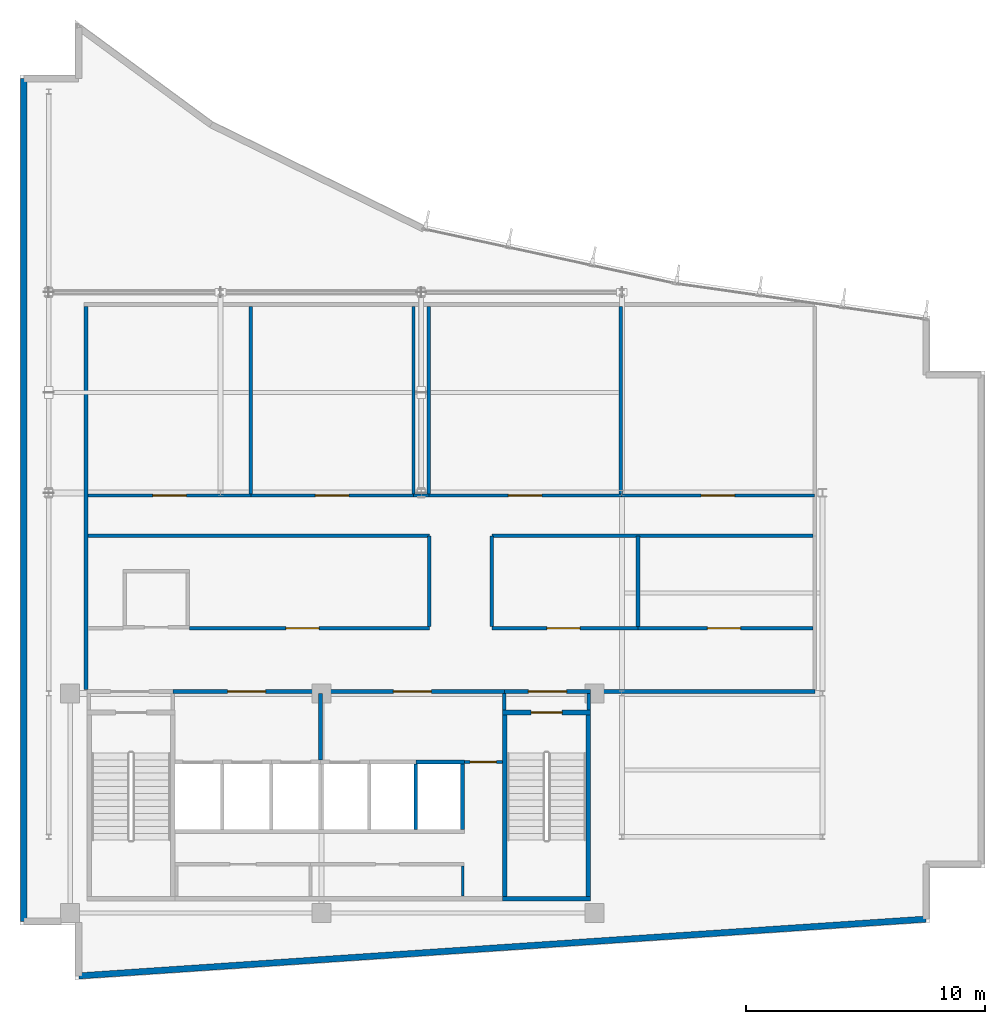
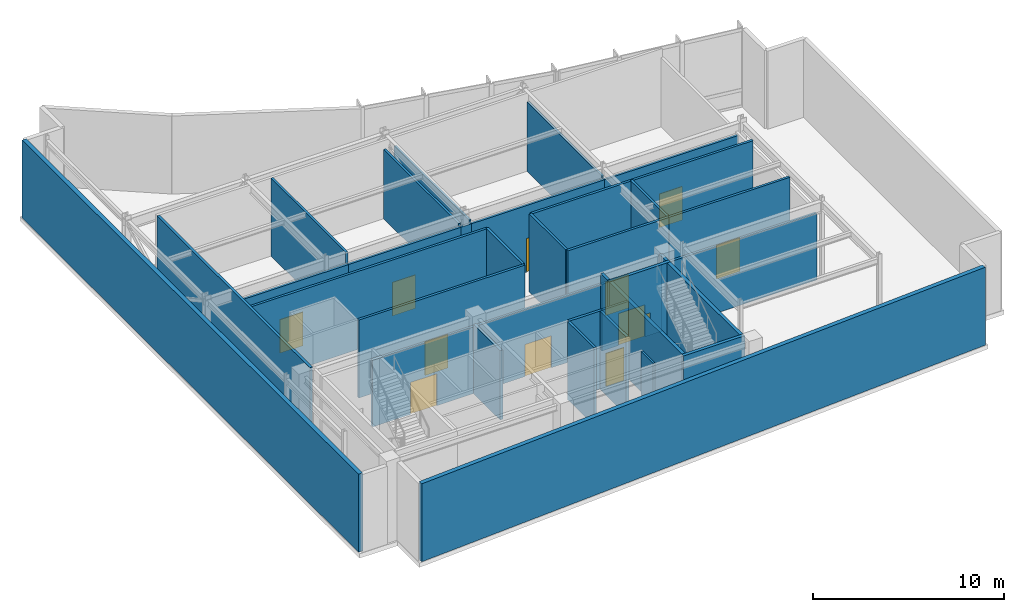
# One storey, part 10 of 14: 36 walls, 12 doors, 12 openings.
"""IFC4 building model written with IfcOpenShell, lengths in metres."""

from ifc_helpers import new_model, si_unit, direction, frame, frame_2d, origin, place, context, subcontext, project, spatial, rectangle, extrude, material, layer, layer_set, type_object, element, fill, save


model = new_model("IFC4")

# Units and contexts
model_context = context("Model", 3, precision=1e-05, world=origin(), true_north=direction((0.0, 1.0)))
body_context = subcontext(model_context, "Body", "Model", "MODEL_VIEW")
ifc_project = project(units=[si_unit("LENGTHUNIT", "METRE"), si_unit("AREAUNIT", "SQUARE_METRE"), si_unit("VOLUMEUNIT", "CUBIC_METRE"), si_unit("PLANEANGLEUNIT", "RADIAN"), si_unit("MASSUNIT", "GRAM", prefix="KILO")], contexts=[model_context])

# Site, building, storey
site_placement = place(None, origin())
site = spatial("IfcSite", under=ifc_project, at=site_placement, CompositionType="ELEMENT")
building_placement = place(site_placement, origin())
building = spatial("IfcBuilding", under=site, at=building_placement, Name="Varnakote Quay Hospital", CompositionType="ELEMENT")
storey_placement = place(building_placement, frame((0.0, 0.0, 303.949951171875)))
storey = spatial("IfcBuildingStorey", under=building, at=storey_placement, Name="L75", CompositionType="ELEMENT", Elevation=303.949951171875)

# Wall, opening, door
ifc_material_1 = material(Name="Fire-rated acoustic gypsum stud wall", Category="gypsum")
ifc_layer_1 = layer(ifc_material_1, 0.139892578125)
ifc_layer_set_1 = layer_set([ifc_layer_1], Name="Fire-rated acoustic gypsum stud wall")
wall_type_1 = type_object("IfcWallType", Name="WL-COMP-140", PredefinedType="PARTITIONING", material=ifc_layer_set_1)
wall_1_placement = place(storey_placement, frame((2.85009765625, 20.2900390625, 0.0), z_axis=(0.0, 0.0, 1.0), x_axis=(1.0, 0.0, 0.0)))
wall_1 = element("IfcWall", 1, at=wall_1_placement, inside=storey, type_object=wall_type_1, Name="L75 Central Chiller Mechanical Plant Corridor Wall", PredefinedType="PARTITIONING", context=body_context, shape_type="SweptSolid", body=[
    extrude(rectangle(XDim=6.829833984375, YDim=0.139892578125, at=frame_2d((3.4150390625, 0.0))), origin(), (0.0, 0.0, 1.0), 4.26513671875),
])
opening_1_placement = place(wall_1_placement, frame((2.715087890625, 0.0, 0.0)))
opening_1 = element("IfcOpeningElement", 2, at=opening_1_placement, cuts=wall_1, Name="Opening D-L75-CHIL", PredefinedType="OPENING", context=body_context, shape_type="SweptSolid", body=[
    extrude(rectangle(XDim=1.39990234375, YDim=2.14990234375, at=frame_2d((0.699951171875, 1.074951171875))), frame((0.0, 0.079833984375, 0.0), z_axis=(0.0, -1.0, 0.0), x_axis=(1.0, 0.0, 0.0)), (0.0, 0.0, 1.0), 0.159912109375),
])
ifc_material_2 = material(Name="Fire-rated acoustic plant room door")
door_type_1 = type_object("IfcDoorType", Name="DR-PLANT-FD60-1400x2150", OperationType="NOTDEFINED", PredefinedType="DOOR", material=ifc_material_2)
door_1_placement = place(opening_1_placement, origin())
door_1 = element("IfcDoor", 3, at=door_1_placement, inside=storey, type_object=door_type_1, Name="L75 Central Chiller Mechanical Plant Door", OperationType="SINGLE_SWING_LEFT", OverallHeight=2.14990234375, OverallWidth=1.39990234375, PredefinedType="DOOR", context=body_context, shape_type="SweptSolid", body=[
    extrude(rectangle(XDim=1.39990234375, YDim=2.14990234375, at=frame_2d((0.699951171875, 1.074951171875))), frame((0.0, 0.02490234375, 0.0), z_axis=(0.0, -1.0, 0.0), x_axis=(1.0, 0.0, 0.0)), (0.0, 0.0, 1.0), 0.050048828125),
])
fill(opening_1, door_1)

wall_2_placement = place(storey_placement, frame((9.681884765625, 20.2900390625, 0.0), z_axis=(0.0, 0.0, 1.0), x_axis=(1.0, 0.0, 0.0)))
wall_2 = element("IfcWall", 4, at=wall_2_placement, inside=storey, type_object=wall_type_1, Name="L75 Clinical Air Handling Mechanical Plant Corridor Wall", PredefinedType="PARTITIONING", context=body_context, shape_type="SweptSolid", body=[
    extrude(rectangle(XDim=6.798095703125, YDim=0.139892578125, at=frame_2d((3.39892578125, 0.0))), origin(), (0.0, 0.0, 1.0), 4.26513671875),
])
opening_2_placement = place(wall_2_placement, frame((2.68798828125, 0.0, 0.0)))
opening_2 = element("IfcOpeningElement", 5, at=opening_2_placement, cuts=wall_2, Name="Opening D-L75-AHU1", PredefinedType="OPENING", context=body_context, shape_type="SweptSolid", body=[
    extrude(rectangle(XDim=1.39990234375, YDim=2.14990234375, at=frame_2d((0.699951171875, 1.074951171875))), frame((0.0, 0.079833984375, 0.0), z_axis=(0.0, -1.0, 0.0), x_axis=(1.0, 0.0, 0.0)), (0.0, 0.0, 1.0), 0.159912109375),
])
door_2_placement = place(opening_2_placement, origin())
door_2 = element("IfcDoor", 6, at=door_2_placement, inside=storey, type_object=door_type_1, Name="L75 Clinical Air Handling Mechanical Plant Door", OperationType="SINGLE_SWING_RIGHT", OverallHeight=2.14990234375, OverallWidth=1.39990234375, PredefinedType="DOOR", context=body_context, shape_type="SweptSolid", body=[
    extrude(rectangle(XDim=1.39990234375, YDim=2.14990234375, at=frame_2d((0.699951171875, 1.074951171875))), frame((0.0, 0.02490234375, 0.0), z_axis=(0.0, -1.0, 0.0), x_axis=(1.0, 0.0, 0.0)), (0.0, 0.0, 1.0), 0.050048828125),
])
fill(opening_2, door_2)

# Wall
wall_3_placement = place(storey_placement, frame((16.47998046875, 20.2900390625, 0.0), z_axis=(0.0, 0.0, 1.0), x_axis=(1.0, 0.0, 0.0)))
element("IfcWall", 7, at=wall_3_placement, inside=storey, type_object=wall_type_1, Name="L75 Outrigger Bay Enclosure Wall", PredefinedType="PARTITIONING", context=body_context, shape_type="SweptSolid", body=[
    extrude(rectangle(XDim=0.64013671875, YDim=0.139892578125, at=frame_2d((0.320068359375, 0.0))), origin(), (0.0, 0.0, 1.0), 4.26513671875),
])

# Wall, opening, door
wall_4_placement = place(storey_placement, frame((17.1201171875, 20.2900390625, 0.0), z_axis=(0.0, 0.0, 1.0), x_axis=(1.0, 0.0, 0.0)))
wall_4 = element("IfcWall", 8, at=wall_4_placement, inside=storey, type_object=wall_type_1, Name="L75 Essential Standby Power Generator Plant Corridor Wall", PredefinedType="PARTITIONING", context=body_context, shape_type="SweptSolid", body=[
    extrude(rectangle(XDim=8.059814453125, YDim=0.139892578125, at=frame_2d((4.02978515625, 0.0))), origin(), (0.0, 0.0, 1.0), 4.26513671875),
])
opening_3_placement = place(wall_4_placement, frame((3.330078125, 0.0, 0.0)))
opening_3 = element("IfcOpeningElement", 9, at=opening_3_placement, cuts=wall_4, Name="Opening D-L75-STBY", PredefinedType="OPENING", context=body_context, shape_type="SweptSolid", body=[
    extrude(rectangle(XDim=1.39990234375, YDim=2.14990234375, at=frame_2d((0.699951171875, 1.074951171875))), frame((0.0, 0.079833984375, 0.0), z_axis=(0.0, -1.0, 0.0), x_axis=(1.0, 0.0, 0.0)), (0.0, 0.0, 1.0), 0.159912109375),
])
door_3_placement = place(opening_3_placement, origin())
door_3 = element("IfcDoor", 10, at=door_3_placement, inside=storey, type_object=door_type_1, Name="L75 Essential Standby Power Generator Plant Door", OperationType="SINGLE_SWING_LEFT", OverallHeight=2.14990234375, OverallWidth=1.39990234375, PredefinedType="DOOR", context=body_context, shape_type="SweptSolid", body=[
    extrude(rectangle(XDim=1.39990234375, YDim=2.14990234375, at=frame_2d((0.699951171875, 1.074951171875))), frame((0.0, 0.02490234375, 0.0), z_axis=(0.0, -1.0, 0.0), x_axis=(1.0, 0.0, 0.0)), (0.0, 0.0, 1.0), 0.050048828125),
])
fill(opening_3, door_3)

wall_5_placement = place(storey_placement, frame((25.181884765625, 20.2900390625, 0.0), z_axis=(0.0, 0.0, 1.0), x_axis=(1.0, 0.0, 0.0)))
wall_5 = element("IfcWall", 11, at=wall_5_placement, inside=storey, type_object=wall_type_1, Name="L75 Hydraulic Break Tank & Fire Pump Plant Corridor Wall", PredefinedType="PARTITIONING", context=body_context, shape_type="SweptSolid", body=[
    extrude(rectangle(XDim=8.09814453125, YDim=0.139892578125, at=frame_2d((4.049072265625, 0.0))), origin(), (0.0, 0.0, 1.0), 4.26513671875),
])
opening_4_placement = place(wall_5_placement, frame((3.337890625, 0.0, 0.0)))
opening_4 = element("IfcOpeningElement", 12, at=opening_4_placement, cuts=wall_5, Name="Opening D-L75-PUMP", PredefinedType="OPENING", context=body_context, shape_type="SweptSolid", body=[
    extrude(rectangle(XDim=1.39990234375, YDim=2.14990234375, at=frame_2d((0.699951171875, 1.074951171875))), frame((0.0, 0.079833984375, 0.0), z_axis=(0.0, -1.0, 0.0), x_axis=(1.0, 0.0, 0.0)), (0.0, 0.0, 1.0), 0.159912109375),
])
door_4_placement = place(opening_4_placement, origin())
door_4 = element("IfcDoor", 13, at=door_4_placement, inside=storey, type_object=door_type_1, Name="L75 Hydraulic Break Tank & Fire Pump Plant Door", OperationType="SINGLE_SWING_RIGHT", OverallHeight=2.14990234375, OverallWidth=1.39990234375, PredefinedType="DOOR", context=body_context, shape_type="SweptSolid", body=[
    extrude(rectangle(XDim=1.39990234375, YDim=2.14990234375, at=frame_2d((0.699951171875, 1.074951171875))), frame((0.0, 0.02490234375, 0.0), z_axis=(0.0, -1.0, 0.0), x_axis=(1.0, 0.0, 0.0)), (0.0, 0.0, 1.0), 0.050048828125),
])
fill(opening_4, door_4)

ifc_material_3 = material(Name="Fire-rated acoustic gypsum stud wall", Category="gypsum")
ifc_layer_2 = layer(ifc_material_3, 0.14990234375)
ifc_layer_set_2 = layer_set([ifc_layer_2], Name="Fire-rated acoustic gypsum stud wall")
wall_type_2 = type_object("IfcWallType", Name="WL-COMP-150", PredefinedType="PARTITIONING", material=ifc_layer_set_2)
wall_6_placement = place(storey_placement, frame((7.092041015625, 14.72998046875, 0.0), z_axis=(0.0, 0.0, 1.0), x_axis=(1.0, 0.0, 0.0)))
wall_6 = element("IfcWall", 14, at=wall_6_placement, inside=storey, type_object=wall_type_2, Name="L75 West Refuge Corridor Wall", PredefinedType="PARTITIONING", context=body_context, shape_type="SweptSolid", body=[
    extrude(rectangle(XDim=10.0478515625, YDim=0.14990234375, at=frame_2d((5.02392578125, 0.0))), origin(), (0.0, 0.0, 1.0), 4.989990234375),
])
opening_5_placement = place(wall_6_placement, frame((4.0380859375, 0.0, 0.0)))
opening_5 = element("IfcOpeningElement", 15, at=opening_5_placement, cuts=wall_6, Name="Opening D-REF1-L75", PredefinedType="OPENING", context=body_context, shape_type="SweptSolid", body=[
    extrude(rectangle(XDim=1.39990234375, YDim=2.14990234375, at=frame_2d((0.699951171875, 1.074951171875))), frame((0.0, 0.0849609375, 0.0), z_axis=(0.0, -1.0, 0.0), x_axis=(1.0, 0.0, 0.0)), (0.0, 0.0, 1.0), 0.169921875),
])
door_5_placement = place(opening_5_placement, origin())
door_5 = element("IfcDoor", 16, at=door_5_placement, inside=storey, type_object=door_type_1, Name="L75 Fire Refuge Holding Area West Door", OperationType="SINGLE_SWING_RIGHT", OverallHeight=2.14990234375, OverallWidth=1.39990234375, PredefinedType="DOOR", context=body_context, shape_type="SweptSolid", body=[
    extrude(rectangle(XDim=1.39990234375, YDim=2.14990234375, at=frame_2d((0.699951171875, 1.074951171875))), frame((0.0, 0.02490234375, 0.0), z_axis=(0.0, -1.0, 0.0), x_axis=(1.0, 0.0, 0.0)), (0.0, 0.0, 1.0), 0.050048828125),
])
fill(opening_5, door_5)

# Walls
wall_7_placement = place(storey_placement, frame((17.139892578125, 14.81005859375, 0.0), z_axis=(0.0, 0.0, 1.0), x_axis=(0.0, 1.0, 0.0)))
element("IfcWall", 17, at=wall_7_placement, inside=storey, type_object=wall_type_2, Name="L75 West Refuge Link Wall", PredefinedType="PARTITIONING", context=body_context, shape_type="SweptSolid", body=[
    extrude(rectangle(XDim=3.7900390625, YDim=0.14990234375, at=frame_2d((1.89501953125, 0.0))), origin(), (0.0, 0.0, 1.0), 4.989990234375),
])
wall_8_placement = place(storey_placement, frame((2.85009765625, 18.60009765625, 0.0), z_axis=(0.0, 0.0, 1.0), x_axis=(1.0, 0.0, 0.0)))
element("IfcWall", 18, at=wall_8_placement, inside=storey, type_object=wall_type_2, Name="L75 West Refuge North Wall", PredefinedType="PARTITIONING", context=body_context, shape_type="SweptSolid", body=[
    extrude(rectangle(XDim=14.289794921875, YDim=0.14990234375, at=frame_2d((7.14501953125, 0.0))), origin(), (0.0, 0.0, 1.0), 4.989990234375),
])
wall_9_placement = place(storey_placement, frame((19.760009765625, 14.81005859375, 0.0), z_axis=(0.0, 0.0, 1.0), x_axis=(0.0, 1.0, 0.0)))
element("IfcWall", 19, at=wall_9_placement, inside=storey, type_object=wall_type_2, Name="L75 Central Refuge Link Wall", PredefinedType="PARTITIONING", context=body_context, shape_type="SweptSolid", body=[
    extrude(rectangle(XDim=3.7900390625, YDim=0.14990234375, at=frame_2d((1.89501953125, 0.0))), origin(), (0.0, 0.0, 1.0), 4.989990234375),
])

# Wall, opening, door
wall_10_placement = place(storey_placement, frame((19.760009765625, 14.72998046875, 0.0), z_axis=(0.0, 0.0, 1.0), x_axis=(1.0, 0.0, 0.0)))
wall_10 = element("IfcWall", 20, at=wall_10_placement, inside=storey, type_object=wall_type_2, Name="L75 East Refuge Corridor Wall", PredefinedType="PARTITIONING", context=body_context, shape_type="SweptSolid", body=[
    extrude(rectangle(XDim=6.119873046875, YDim=0.14990234375, at=frame_2d((3.06005859375, 0.0))), origin(), (0.0, 0.0, 1.0), 4.989990234375),
])
opening_6_placement = place(wall_10_placement, frame((2.300048828125, 0.0, 0.0)))
opening_6 = element("IfcOpeningElement", 21, at=opening_6_placement, cuts=wall_10, Name="Opening D-REF2-L75", PredefinedType="OPENING", context=body_context, shape_type="SweptSolid", body=[
    extrude(rectangle(XDim=1.39990234375, YDim=2.14990234375, at=frame_2d((0.699951171875, 1.074951171875))), frame((0.0, 0.0849609375, 0.0), z_axis=(0.0, -1.0, 0.0), x_axis=(1.0, 0.0, 0.0)), (0.0, 0.0, 1.0), 0.169921875),
])
door_6_placement = place(opening_6_placement, origin())
door_6 = element("IfcDoor", 22, at=door_6_placement, inside=storey, type_object=door_type_1, Name="L75 Fire Refuge Holding Area East Door", OperationType="SINGLE_SWING_LEFT", OverallHeight=2.14990234375, OverallWidth=1.39990234375, PredefinedType="DOOR", context=body_context, shape_type="SweptSolid", body=[
    extrude(rectangle(XDim=1.39990234375, YDim=2.14990234375, at=frame_2d((0.699951171875, 1.074951171875))), frame((0.0, 0.02490234375, 0.0), z_axis=(0.0, -1.0, 0.0), x_axis=(1.0, 0.0, 0.0)), (0.0, 0.0, 1.0), 0.050048828125),
])
fill(opening_6, door_6)

# Wall
wall_11_placement = place(storey_placement, frame((25.8798828125, 14.81005859375, 0.0), z_axis=(0.0, 0.0, 1.0), x_axis=(0.0, 1.0, 0.0)))
element("IfcWall", 23, at=wall_11_placement, inside=storey, type_object=wall_type_2, Name="L75 Telemetry Plant West Wall", PredefinedType="PARTITIONING", context=body_context, shape_type="SweptSolid", body=[
    extrude(rectangle(XDim=3.7900390625, YDim=0.14990234375, at=frame_2d((1.89501953125, 0.0))), origin(), (0.0, 0.0, 1.0), 4.989990234375),
])

# Wall, opening, door
wall_12_placement = place(storey_placement, frame((25.8798828125, 14.72998046875, 0.0), z_axis=(0.0, 0.0, 1.0), x_axis=(1.0, 0.0, 0.0)))
wall_12 = element("IfcWall", 24, at=wall_12_placement, inside=storey, type_object=wall_type_2, Name="L75 Telemetry Plant Corridor Wall", PredefinedType="PARTITIONING", context=body_context, shape_type="SweptSolid", body=[
    extrude(rectangle(XDim=7.320068359375, YDim=0.14990234375, at=frame_2d((3.66015625, 0.0))), origin(), (0.0, 0.0, 1.0), 4.989990234375),
])
opening_7_placement = place(wall_12_placement, frame((2.89990234375, 0.0, 0.0)))
opening_7 = element("IfcOpeningElement", 25, at=opening_7_placement, cuts=wall_12, Name="Opening D-BMED-L75", PredefinedType="OPENING", context=body_context, shape_type="SweptSolid", body=[
    extrude(rectangle(XDim=1.39990234375, YDim=2.14990234375, at=frame_2d((0.699951171875, 1.074951171875))), frame((0.0, 0.0849609375, 0.0), z_axis=(0.0, -1.0, 0.0), x_axis=(1.0, 0.0, 0.0)), (0.0, 0.0, 1.0), 0.169921875),
])
door_7_placement = place(opening_7_placement, origin())
door_7 = element("IfcDoor", 26, at=door_7_placement, inside=storey, type_object=door_type_1, Name="L75 Crown Telemetry Plant Door", OperationType="SINGLE_SWING_RIGHT", OverallHeight=2.14990234375, OverallWidth=1.39990234375, PredefinedType="DOOR", context=body_context, shape_type="SweptSolid", body=[
    extrude(rectangle(XDim=1.39990234375, YDim=2.14990234375, at=frame_2d((0.699951171875, 1.074951171875))), frame((0.0, 0.02490234375, 0.0), z_axis=(0.0, -1.0, 0.0), x_axis=(1.0, 0.0, 0.0)), (0.0, 0.0, 1.0), 0.050048828125),
])
fill(opening_7, door_7)

# Wall
wall_13_placement = place(storey_placement, frame((19.760009765625, 18.60009765625, 0.0), z_axis=(0.0, 0.0, 1.0), x_axis=(1.0, 0.0, 0.0)))
element("IfcWall", 27, at=wall_13_placement, inside=storey, type_object=wall_type_2, Name="L75 Refuge & Telemetry North Wall", PredefinedType="PARTITIONING", context=body_context, shape_type="SweptSolid", body=[
    extrude(rectangle(XDim=13.43994140625, YDim=0.14990234375, at=frame_2d((6.719970703125, 0.0))), origin(), (0.0, 0.0, 1.0), 4.989990234375),
])

# Wall, opening, door
ifc_material_4 = material(Name="Fire-rated acoustic gypsum stud wall", Category="gypsum")
ifc_layer_3 = layer(ifc_material_4, 0.159912109375)
ifc_layer_set_3 = layer_set([ifc_layer_3], Name="Fire-rated acoustic gypsum stud wall")
wall_type_3 = type_object("IfcWallType", Name="WL-COMP-160", PredefinedType="PARTITIONING", material=ifc_layer_set_3)
wall_14_placement = place(storey_placement, frame((6.39990234375, 12.080078125, 0.0), z_axis=(0.0, 0.0, 1.0), x_axis=(1.0, 0.0, 0.0)))
wall_14 = element("IfcWall", 28, at=wall_14_placement, inside=storey, type_object=wall_type_3, Name="L75 Firefighting Lift Lobby Compartment Wall", PredefinedType="PARTITIONING", context=body_context, shape_type="SweptSolid", body=[
    extrude(rectangle(XDim=6.18017578125, YDim=0.159912109375, at=frame_2d((3.090087890625, 0.0))), origin(), (0.0, 0.0, 1.0), 4.26513671875),
])
opening_8_placement = place(wall_14_placement, frame((2.2900390625, 0.0, 0.0)))
opening_8 = element("IfcOpeningElement", 29, at=opening_8_placement, cuts=wall_14, Name="Opening D-FFL-L75", PredefinedType="OPENING", context=body_context, shape_type="SweptSolid", body=[
    extrude(rectangle(XDim=1.60009765625, YDim=2.050048828125, at=frame_2d((0.800048828125, 1.02490234375))), frame((0.0, 0.08984375, 0.0), z_axis=(0.0, -1.0, 0.0), x_axis=(1.0, 0.0, 0.0)), (0.0, 0.0, 1.0), 0.179931640625),
])
ifc_material_5 = material(Name="Fire-rated double smoke lobby door")
door_type_2 = type_object("IfcDoorType", Name="DR-LOBBY-FD60S-1600x2150", OperationType="NOTDEFINED", PredefinedType="DOOR", material=ifc_material_5)
door_8_placement = place(opening_8_placement, origin())
door_8 = element("IfcDoor", 30, at=door_8_placement, inside=storey, type_object=door_type_2, Name="L75 Firefighting Smoke Vestibule Door", OperationType="DOUBLE_DOOR_SINGLE_SWING", OverallHeight=2.050048828125, OverallWidth=1.60009765625, PredefinedType="DOOR", context=body_context, shape_type="SweptSolid", body=[
    extrude(rectangle(XDim=1.60009765625, YDim=2.050048828125, at=frame_2d((0.800048828125, 1.02490234375))), frame((0.0, 0.02490234375, 0.0), z_axis=(0.0, -1.0, 0.0), x_axis=(1.0, 0.0, 0.0)), (0.0, 0.0, 1.0), 0.050048828125),
])
fill(opening_8, door_8)

# Wall
wall_15_placement = place(storey_placement, frame((12.580078125, 9.2099609375, 0.0), z_axis=(0.0, 0.0, 1.0), x_axis=(0.0, 1.0, 0.0)))
element("IfcWall", 31, at=wall_15_placement, inside=storey, type_object=wall_type_3, Name="L75 Firefighting to Service Lobby Wall", PredefinedType="PARTITIONING", context=body_context, shape_type="SweptSolid", body=[
    extrude(rectangle(XDim=2.7900390625, YDim=0.159912109375, at=frame_2d((1.39501953125, 0.0))), origin(), (0.0, 0.0, 1.0), 4.43701171875),
])

# Wall, opening, door
wall_16_placement = place(storey_placement, frame((12.580078125, 12.080078125, 0.0), z_axis=(0.0, 0.0, 1.0), x_axis=(1.0, 0.0, 0.0)))
wall_16 = element("IfcWall", 32, at=wall_16_placement, inside=storey, type_object=wall_type_3, Name="L75 Clinical Bed Lift Lobby Wall", PredefinedType="PARTITIONING", context=body_context, shape_type="SweptSolid", body=[
    extrude(rectangle(XDim=7.699951171875, YDim=0.159912109375, at=frame_2d((3.85009765625, 0.0))), origin(), (0.0, 0.0, 1.0), 4.26513671875),
])
opening_9_placement = place(wall_16_placement, frame((3.050048828125, 0.0, 0.0)))
opening_9 = element("IfcOpeningElement", 33, at=opening_9_placement, cuts=wall_16, Name="Opening D-SVL-L75", PredefinedType="OPENING", context=body_context, shape_type="SweptSolid", body=[
    extrude(rectangle(XDim=1.60009765625, YDim=2.050048828125, at=frame_2d((0.800048828125, 1.02490234375))), frame((0.0, 0.08984375, 0.0), z_axis=(0.0, -1.0, 0.0), x_axis=(1.0, 0.0, 0.0)), (0.0, 0.0, 1.0), 0.179931640625),
])
door_9_placement = place(opening_9_placement, origin())
door_9 = element("IfcDoor", 34, at=door_9_placement, inside=storey, type_object=door_type_2, Name="L75 Clinical Core Smoke Vestibule Door", OperationType="DOUBLE_DOOR_SINGLE_SWING", OverallHeight=2.050048828125, OverallWidth=1.60009765625, PredefinedType="DOOR", context=body_context, shape_type="SweptSolid", body=[
    extrude(rectangle(XDim=1.60009765625, YDim=2.050048828125, at=frame_2d((0.800048828125, 1.02490234375))), frame((0.0, 0.02490234375, 0.0), z_axis=(0.0, -1.0, 0.0), x_axis=(1.0, 0.0, 0.0)), (0.0, 0.0, 1.0), 0.050048828125),
])
fill(opening_9, door_9)

# Wall
wall_17_placement = place(storey_placement, frame((20.280029296875, 11.300048828125, 0.0), z_axis=(0.0, 0.0, 1.0), x_axis=(0.0, 1.0, 0.0)))
element("IfcWall", 35, at=wall_17_placement, inside=storey, type_object=wall_type_3, Name="L75 East Stair Vestibule Divider Wall", PredefinedType="PARTITIONING", context=body_context, shape_type="SweptSolid", body=[
    extrude(rectangle(XDim=0.699951171875, YDim=0.159912109375, at=frame_2d((0.35009765625, 0.0))), origin(), (0.0, 0.0, 1.0), 4.989990234375),
])

# Wall, opening, door
wall_18_placement = place(storey_placement, frame((20.280029296875, 12.080078125, 0.0), z_axis=(0.0, 0.0, 1.0), x_axis=(1.0, 0.0, 0.0)))
wall_18 = element("IfcWall", 36, at=wall_18_placement, inside=storey, type_object=wall_type_3, Name="L75 East Stair Vestibule Smoke Wall", PredefinedType="PARTITIONING", context=body_context, shape_type="SweptSolid", body=[
    extrude(rectangle(XDim=3.619873046875, YDim=0.159912109375, at=frame_2d((1.81005859375, 0.0))), origin(), (0.0, 0.0, 1.0), 4.26513671875),
])
opening_10_placement = place(wall_18_placement, frame((1.010009765625, 0.0, 0.0)))
opening_10 = element("IfcOpeningElement", 37, at=opening_10_placement, cuts=wall_18, Name="Opening D-ST2L-L75", PredefinedType="OPENING", context=body_context, shape_type="SweptSolid", body=[
    extrude(rectangle(XDim=1.60009765625, YDim=2.050048828125, at=frame_2d((0.800048828125, 1.02490234375))), frame((0.0, 0.08984375, 0.0), z_axis=(0.0, -1.0, 0.0), x_axis=(1.0, 0.0, 0.0)), (0.0, 0.0, 1.0), 0.179931640625),
])
door_10_placement = place(opening_10_placement, origin())
door_10 = element("IfcDoor", 38, at=door_10_placement, inside=storey, type_object=door_type_2, Name="L75 East Stair Vestibule Smoke Door", OperationType="DOUBLE_DOOR_SINGLE_SWING", OverallHeight=2.050048828125, OverallWidth=1.60009765625, PredefinedType="DOOR", context=body_context, shape_type="SweptSolid", body=[
    extrude(rectangle(XDim=1.60009765625, YDim=2.050048828125, at=frame_2d((0.800048828125, 1.02490234375))), frame((0.0, 0.02490234375, 0.0), z_axis=(0.0, -1.0, 0.0), x_axis=(1.0, 0.0, 0.0)), (0.0, 0.0, 1.0), 0.050048828125),
])
fill(opening_10, door_10)

# Walls
wall_19_placement = place(storey_placement, frame((23.820068359375, 11.300048828125, 0.0), z_axis=(0.0, 0.0, 1.0), x_axis=(0.0, 1.0, 0.0)))
element("IfcWall", 39, at=wall_19_placement, inside=storey, type_object=wall_type_3, Name="L75 East Stair Vestibule East Wall", PredefinedType="PARTITIONING", context=body_context, shape_type="SweptSolid", body=[
    extrude(rectangle(XDim=0.699951171875, YDim=0.159912109375, at=frame_2d((0.35009765625, 0.0))), origin(), (0.0, 0.0, 1.0), 4.989990234375),
])
wall_20_placement = place(storey_placement, frame((2.77001953125, 12.159912109375, 0.0), z_axis=(0.0, 0.0, 1.0), x_axis=(0.0, 1.0, 0.0)))
element("IfcWall", 40, at=wall_20_placement, inside=storey, type_object=wall_type_3, Name="L75 Plant Block West Enclosure Wall", PredefinedType="PARTITIONING", context=body_context, shape_type="SweptSolid", body=[
    extrude(rectangle(XDim=16.0400390625, YDim=0.159912109375, at=frame_2d((8.02001953125, 0.0))), origin(), (0.0, 0.0, 1.0), 4.989990234375),
])
wall_21_placement = place(storey_placement, frame((23.919921875, 12.080078125, 0.0), z_axis=(0.0, 0.0, 1.0), x_axis=(1.0, 0.0, 0.0)))
element("IfcWall", 41, at=wall_21_placement, inside=storey, type_object=wall_type_3, Name="L75 Plant Corridor South Gap Wall", PredefinedType="PARTITIONING", context=body_context, shape_type="SweptSolid", body=[
    extrude(rectangle(XDim=9.360107421875, YDim=0.159912109375, at=frame_2d((4.68017578125, 0.0))), origin(), (0.0, 0.0, 1.0), 4.26513671875),
])
ifc_material_6 = material(Name="Precast concrete N50 (f'c 50 MPa)", Category="concrete")
ifc_layer_4 = layer(ifc_material_6, 0.260009765625)
ifc_layer_set_4 = layer_set([ifc_layer_4], Name="Precast concrete N50 (f'c 50 MPa)")
wall_type_4 = type_object("IfcWallType", Name="WL-EXT-BRICK-260", PredefinedType="STANDARD", material=ifc_layer_set_4)
wall_22_placement = place(storey_placement, frame((2.4599609375, 0.171142578125, 0.0), z_axis=(0.0, 0.0, 1.0), x_axis=(0.997760665813, 0.066885377746, 0.0)))
element("IfcWall", 42, at=wall_22_placement, inside=storey, type_object=wall_type_4, Name="L75 Brick-Faced Precast Exterior Wall", PredefinedType="STANDARD", context=body_context, shape_type="SweptSolid", body=[
    extrude(rectangle(XDim=35.5595703125, YDim=0.260009765625, at=frame_2d((17.77978515625, 0.0))), origin(), (0.0, 0.0, 1.0), 4.989990234375),
])
wall_23_placement = place(storey_placement, frame((0.159912109375, 37.739990234375, 0.0), z_axis=(0.0, 0.0, 1.0), x_axis=(0.0, -1.0, 0.0)))
element("IfcWall", 43, at=wall_23_placement, inside=storey, type_object=wall_type_4, Name="L75 Brick-Faced Precast Exterior Wall", PredefinedType="STANDARD", context=body_context, shape_type="SweptSolid", body=[
    extrude(rectangle(XDim=35.280029296875, YDim=0.260009765625, at=frame_2d((17.64013671875, 0.0))), origin(), (0.0, 0.0, 1.0), 4.989990234375),
])
ifc_material_7 = material(Name="Concrete N50 (f'c 50 MPa)", Category="concrete")
ifc_layer_5 = layer(ifc_material_7, 0.14990234375)
ifc_layer_set_5 = layer_set([ifc_layer_5], Name="Concrete N50 (f'c 50 MPa)")
wall_type_5 = type_object("IfcWallType", Name="WL-SHAFT-N50-150", PredefinedType="SHEAR", material=ifc_layer_set_5)
wall_24_placement = place(storey_placement, frame((16.574951171875, 6.300048828125, 0.0), z_axis=(0.0, 0.0, 1.0), x_axis=(0.0, 1.0, 0.0)))
element("IfcWall", 44, at=wall_24_placement, inside=storey, type_object=wall_type_5, Name="L75 LF-PH1 Hoistway Divider Wall", PredefinedType="SHEAR", context=body_context, shape_type="SweptSolid", body=[
    extrude(rectangle(XDim=2.75, YDim=0.14990234375, at=frame_2d((1.375, 0.0))), origin(), (0.0, 0.0, 1.0), 4.989990234375),
])
ifc_material_8 = material(Name="Concrete N50 (f'c 50 MPa)", Category="concrete")
ifc_layer_6 = layer(ifc_material_8, 0.159912109375)
ifc_layer_set_6 = layer_set([ifc_layer_6], Name="Concrete N50 (f'c 50 MPa)")
wall_type_6 = type_object("IfcWallType", Name="WL-SHAFT-N50-160", PredefinedType="SHEAR", material=ifc_layer_set_6)
wall_25_placement = place(storey_placement, frame((18.530029296875, 6.300048828125, 0.0), z_axis=(0.0, 0.0, 1.0), x_axis=(0.0, 1.0, 0.0)))
element("IfcWall", 45, at=wall_25_placement, inside=storey, type_object=wall_type_6, Name="L75 REAR Lift Bank East Shear Wall", PredefinedType="SHEAR", context=body_context, shape_type="SweptSolid", body=[
    extrude(rectangle(XDim=2.75, YDim=0.159912109375, at=frame_2d((1.375, 0.0))), origin(), (0.0, 0.0, 1.0), 4.989990234375),
])
wall_26_placement = place(storey_placement, frame((16.574951171875, 9.1298828125, 0.0), z_axis=(0.0, 0.0, 1.0), x_axis=(1.0, 0.0, 0.0)))
element("IfcWall", 46, at=wall_26_placement, inside=storey, type_object=wall_type_6, Name="L75 LF-PH2 Hoistway Front Wall", PredefinedType="SHEAR", context=body_context, shape_type="SweptSolid", body=[
    extrude(rectangle(XDim=2.03515625, YDim=0.159912109375, at=frame_2d((1.017578125, 0.0))), origin(), (0.0, 0.0, 1.0), 4.989990234375),
])
ifc_material_9 = material(Name="Concrete N50 (f'c 50 MPa)", Category="concrete")
ifc_layer_7 = layer(ifc_material_9, 0.199951171875)
ifc_layer_set_7 = layer_set([ifc_layer_7], Name="Concrete N50 (f'c 50 MPa)")
wall_type_7 = type_object("IfcWallType", Name="WL-SHAFT-N50-200", PredefinedType="SHEAR", material=ifc_layer_set_7)
wall_27_placement = place(storey_placement, frame((20.199951171875, 3.39990234375, 0.0), z_axis=(0.0, 0.0, 1.0), x_axis=(1.0, 0.0, 0.0)))
element("IfcWall", 47, at=wall_27_placement, inside=storey, type_object=wall_type_7, Name="L75 Stair ST2 South Shaft Wall", PredefinedType="SHEAR", context=body_context, shape_type="SweptSolid", body=[
    extrude(rectangle(XDim=3.699951171875, YDim=0.199951171875, at=frame_2d((1.85009765625, 0.0))), origin(), (0.0, 0.0, 1.0), 4.989990234375),
])
for number, where, z_axis, x_axis, name in (
    (48, (20.300048828125, 3.5, 0.0), (0.0, 0.0, 1.0), (0.0, 1.0, 0.0), "L75 Stair ST2 West Shaft Wall"),
    (49, (23.800048828125, 3.5, 0.0), (0.0, 0.0, 1.0), (0.0, 1.0, 0.0), "L75 Stair ST2 East Shaft Wall"),
):
    element("IfcWall", number, at=place(storey_placement, frame(where, z_axis=z_axis, x_axis=x_axis)), inside=storey, type_object=wall_type_7, Name=name, PredefinedType="SHEAR", context=body_context, shape_type="SweptSolid", body=[
        extrude(rectangle(XDim=7.60009765625, YDim=0.199951171875, at=frame_2d((3.800048828125, 0.0))), origin(), (0.0, 0.0, 1.0), 4.989990234375),
    ])

# Wall, opening, door
wall_28_placement = place(storey_placement, frame((20.199951171875, 11.199951171875, 0.0), z_axis=(0.0, 0.0, 1.0), x_axis=(1.0, 0.0, 0.0)))
wall_28 = element("IfcWall", 50, at=wall_28_placement, inside=storey, type_object=wall_type_7, Name="L75 Stair ST2 Exit Wall", PredefinedType="SHEAR", context=body_context, shape_type="SweptSolid", body=[
    extrude(rectangle(XDim=3.699951171875, YDim=0.199951171875, at=frame_2d((1.85009765625, 0.0))), origin(), (0.0, 0.0, 1.0), 4.989990234375),
])
opening_11_placement = place(wall_28_placement, frame((1.199951171875, 0.0, 0.0)))
opening_11 = element("IfcOpeningElement", 51, at=opening_11_placement, cuts=wall_28, Name="Opening D-ST2-L75", PredefinedType="OPENING", context=body_context, shape_type="SweptSolid", body=[
    extrude(rectangle(XDim=1.300048828125, YDim=2.14990234375, at=frame_2d((0.64990234375, 1.074951171875))), frame((0.0, 0.10986328125, 0.0), z_axis=(0.0, -1.0, 0.0), x_axis=(1.0, 0.0, 0.0)), (0.0, 0.0, 1.0), 0.219970703125),
])
ifc_material_10 = material(Name="Fire-rated ceramic-glazed timber exit door", Category="wood")
door_type_3 = type_object("IfcDoorType", Name="DR-STAIR-FD60S-1300x2150", OperationType="NOTDEFINED", PredefinedType="DOOR", material=ifc_material_10)
door_11_placement = place(opening_11_placement, origin())
door_11 = element("IfcDoor", 52, at=door_11_placement, inside=storey, type_object=door_type_3, Name="L75 Stair ST2 Fire Exit Door", OperationType="SINGLE_SWING_LEFT", OverallHeight=2.14990234375, OverallWidth=1.300048828125, PredefinedType="DOOR", context=body_context, shape_type="SweptSolid", body=[
    extrude(rectangle(XDim=1.300048828125, YDim=2.14990234375, at=frame_2d((0.64990234375, 1.074951171875))), frame((0.0, 0.02490234375, 0.0), z_axis=(0.0, -1.0, 0.0), x_axis=(1.0, 0.0, 0.0)), (0.0, 0.0, 1.0), 0.050048828125),
])
fill(opening_11, door_11)

# Walls
ifc_material_11 = material(Name="Smoke-proof clinical partition", Category="gypsum")
ifc_layer_8 = layer(ifc_material_11, 0.1201171875)
ifc_layer_set_8 = layer_set([ifc_layer_8], Name="Smoke-proof clinical partition")
wall_type_8 = type_object("IfcWallType", Name="WL-SMOKE-120", PredefinedType="PARTITIONING", material=ifc_layer_set_8)
wall_29_placement = place(storey_placement, frame((18.5400390625, 3.52001953125, 0.0), z_axis=(0.0, 0.0, 1.0), x_axis=(0.0, 1.0, 0.0)))
element("IfcWall", 53, at=wall_29_placement, inside=storey, type_object=wall_type_8, Name="L75 Core South Service East Wall", PredefinedType="PARTITIONING", context=body_context, shape_type="SweptSolid", body=[
    extrude(rectangle(XDim=1.260009765625, YDim=0.1201171875, at=frame_2d((0.6298828125, 0.0))), origin(), (0.0, 0.0, 1.0), 4.989990234375),
])
ifc_material_12 = material(Name="Smoke-proof clinical partition", Category="gypsum")
ifc_layer_9 = layer(ifc_material_12, 0.135009765625)
ifc_layer_set_9 = layer_set([ifc_layer_9], Name="Smoke-proof clinical partition")
wall_type_9 = type_object("IfcWallType", Name="WL-SMOKE-135", PredefinedType="PARTITIONING", material=ifc_layer_set_9)
wall_30_placement = place(storey_placement, frame((9.659912109375, 20.360107421875, 0.0), z_axis=(0.0, 0.0, 1.0), x_axis=(0.0, 1.0, 0.0)))
element("IfcWall", 54, at=wall_30_placement, inside=storey, type_object=wall_type_9, Name="L75 Clinical Air Handling Mechanical Plant West Wall", PredefinedType="PARTITIONING", context=body_context, shape_type="SweptSolid", body=[
    extrude(rectangle(XDim=7.83984375, YDim=0.135009765625, at=frame_2d((3.919921875, 0.0))), origin(), (0.0, 0.0, 1.0), 4.989990234375),
])
for number, where, z_axis, x_axis, name in (
    (55, (16.47998046875, 20.360107421875, 0.0), (0.0, 0.0, 1.0), (0.0, 1.0, 0.0), "L75 Clinical Air Handling Mechanical Plant East Wall"),
    (56, (17.1201171875, 20.360107421875, 0.0), (0.0, 0.0, 1.0), (0.0, 1.0, 0.0), "L75 Essential Standby Power Generator Plant West Wall"),
    (57, (25.159912109375, 20.360107421875, 0.0), (0.0, 0.0, 1.0), (0.0, 1.0, 0.0), "L75 Hydraulic Break Tank & Fire Pump Plant West Wall"),
):
    element("IfcWall", number, at=place(storey_placement, frame(where, z_axis=z_axis, x_axis=x_axis)), inside=storey, type_object=wall_type_9, Name=name, PredefinedType="PARTITIONING", context=body_context, shape_type="SweptSolid", body=[
        extrude(rectangle(XDim=7.83984375, YDim=0.135009765625, at=frame_2d((3.919921875, 0.0))), origin(), (0.0, 0.0, 1.0), 4.43701171875),
    ])

# Wall, opening, door
ifc_material_13 = material(Name="Fire-rated clinical gypsum partition", Category="gypsum")
ifc_layer_10 = layer(ifc_material_13, 0.139892578125)
ifc_layer_set_10 = layer_set([ifc_layer_10], Name="Fire-rated clinical gypsum partition")
wall_type_10 = type_object("IfcWallType", Name="WL-WARD-140", PredefinedType="PARTITIONING", material=ifc_layer_set_10)
wall_31_placement = place(storey_placement, frame((18.610107421875, 9.1298828125, 0.0), z_axis=(0.0, 0.0, 1.0), x_axis=(1.0, 0.0, 0.0)))
wall_31 = element("IfcWall", 58, at=wall_31_placement, inside=storey, type_object=wall_type_10, Name="L75 Core Service Corridor North Door Wall", PredefinedType="PARTITIONING", context=body_context, shape_type="SweptSolid", body=[
    extrude(rectangle(XDim=1.58984375, YDim=0.139892578125, at=frame_2d((0.794921875, 0.0))), origin(), (0.0, 0.0, 1.0), 4.989990234375),
])
opening_12_placement = place(wall_31_placement, frame((0.239990234375, 0.0, 0.0)))
opening_12 = element("IfcOpeningElement", 59, at=opening_12_placement, cuts=wall_31, Name="Opening D-CSRV-L75", PredefinedType="OPENING", context=body_context, shape_type="SweptSolid", body=[
    extrude(rectangle(XDim=1.10009765625, YDim=2.10009765625, at=frame_2d((0.550048828125, 1.050048828125))), frame((0.0, 0.079833984375, 0.0), z_axis=(0.0, -1.0, 0.0), x_axis=(1.0, 0.0, 0.0)), (0.0, 0.0, 1.0), 0.159912109375),
])
ifc_material_14 = material(Name="Acoustic timber clinical consult door", Category="wood")
door_type_4 = type_object("IfcDoorType", Name="DR-CLIN-FD30S-1100x2100", OperationType="NOTDEFINED", PredefinedType="DOOR", material=ifc_material_14)
door_12_placement = place(opening_12_placement, origin())
door_12 = element("IfcDoor", 60, at=door_12_placement, inside=storey, type_object=door_type_4, Name="L75 Core Service Corridor Door", OperationType="SINGLE_SWING_RIGHT", OverallHeight=2.10009765625, OverallWidth=1.10009765625, PredefinedType="DOOR", context=body_context, shape_type="SweptSolid", body=[
    extrude(rectangle(XDim=1.10009765625, YDim=2.10009765625, at=frame_2d((0.550048828125, 1.050048828125))), frame((0.0, 0.02490234375, 0.0), z_axis=(0.0, -1.0, 0.0), x_axis=(1.0, 0.0, 0.0)), (0.0, 0.0, 1.0), 0.050048828125),
])
fill(opening_12, door_12)

save(model, "model.ifc")
